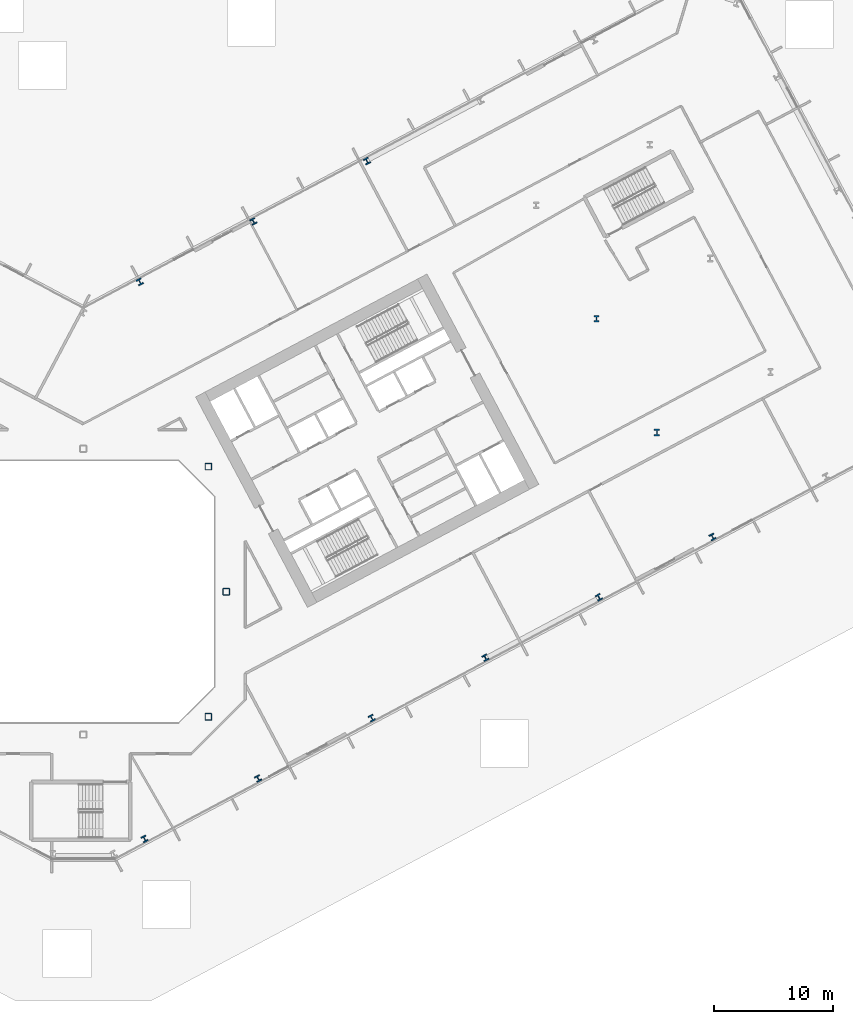
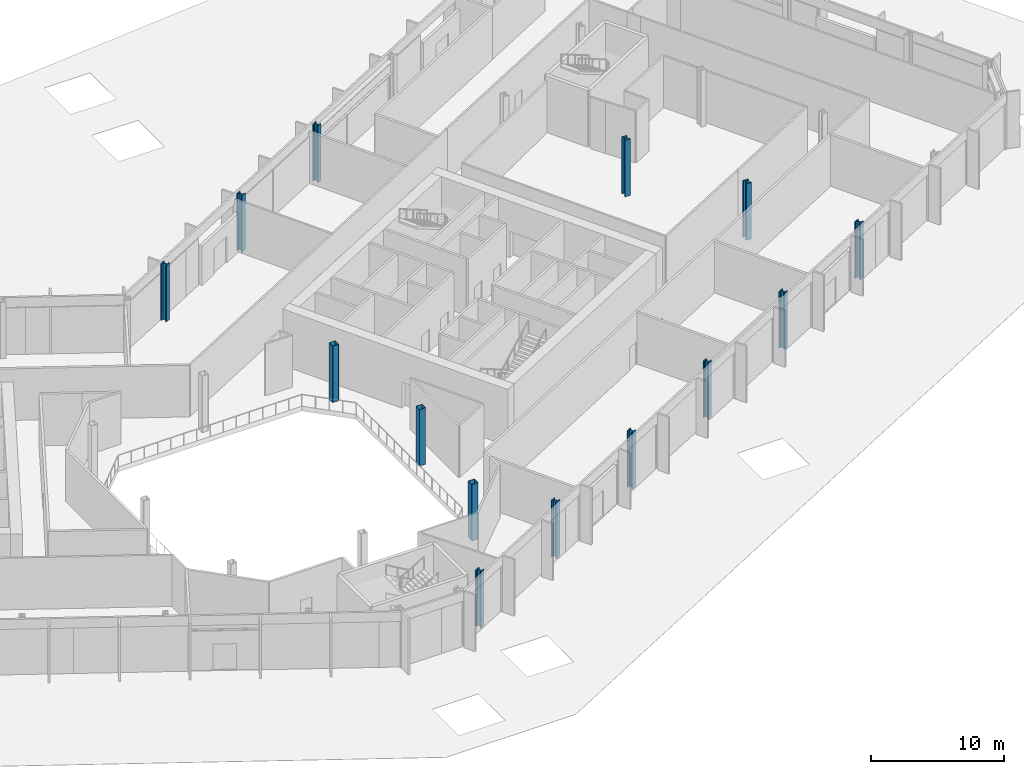
# One storey, part 3 of 30: 14 columns.
"""IFC4 building model written with IfcOpenShell, lengths in metres."""

from ifc_helpers import new_model, si_unit, direction, frame, origin, origin_2d, place, context, subcontext, project, spatial, hollow_rectangle, i_section, extrude, material, material_profile, profile_set, type_object, element, save


model = new_model("IFC4")

# Units and contexts
model_context = context("Model", 3, precision=1e-05, world=origin(), true_north=direction((0.0, 1.0)))
body_context = subcontext(model_context, "Body", "Model", "MODEL_VIEW")
ifc_project = project(units=[si_unit("LENGTHUNIT", "METRE"), si_unit("AREAUNIT", "SQUARE_METRE"), si_unit("VOLUMEUNIT", "CUBIC_METRE"), si_unit("PLANEANGLEUNIT", "RADIAN"), si_unit("MASSUNIT", "GRAM", prefix="KILO")], contexts=[model_context])

# Site, building, storey
site_placement = place(None, origin())
site = spatial("IfcSite", under=ifc_project, at=site_placement, CompositionType="ELEMENT")
building_placement = place(site_placement, origin())
building = spatial("IfcBuilding", under=site, at=building_placement, Name="Cormorant Relay Tower", CompositionType="ELEMENT")
storey_placement = place(building_placement, frame((0.0, 0.0, 7.0)))
storey = spatial("IfcBuildingStorey", under=building, at=storey_placement, Name="L01", CompositionType="ELEMENT", Elevation=7.0)

# Columns
ifc_material_1 = material(Name="Steel ASTM A1085 Grade A (Fy 345 MPa)", Category="steel")
ifc_material_profile_1 = material_profile(ifc_material_1, hollow_rectangle(XDim=0.558837890625, YDim=0.558837890625, WallThickness=0.023681640625, InnerFilletRadius=0.01171875, OuterFilletRadius=0.035400390625, at=origin_2d()), Name="HSS559x559x24")
ifc_profile_set_1 = profile_set([ifc_material_profile_1], Name="Steel ASTM A1085 Grade A (Fy 345 MPa)")
column_type_1 = type_object("IfcColumnType", Name="Column HSS559x559x24", PredefinedType="COLUMN", material=ifc_profile_set_1)
for number, where, z_axis, x_axis, name in (
    (1, (10.5, -10.5, 0.0), (0.0, 0.0, 1.0), (1.0, 0.0, 0.0), "Column L01-010"),
    (2, (12.0, 0.0, 0.0), (0.0, 0.0, 1.0), (1.0, 0.0, 0.0), "Column L01-016"),
    (3, (10.5, 10.5, 0.0), (0.0, 0.0, 1.0), (1.0, 0.0, 0.0), "Column L01-023"),
):
    element("IfcColumn", number, at=place(storey_placement, frame(where, z_axis=z_axis, x_axis=x_axis)), inside=storey, type_object=column_type_1, Name=name, PredefinedType="COLUMN", context=body_context, shape_type="SweptSolid", body=[
        extrude(hollow_rectangle(XDim=0.558837890625, YDim=0.558837890625, WallThickness=0.023681640625, InnerFilletRadius=0.01171875, OuterFilletRadius=0.035400390625, at=origin_2d()), origin(), (0.0, 0.0, 1.0), 5.199951171875),
    ])
ifc_material_2 = material(Name="Steel ASTM A992 (Fy 345 MPa)", Category="steel")
ifc_material_profile_2 = material_profile(ifc_material_2, i_section(OverallWidth=0.45458984375, OverallDepth=0.569091796875, WebThickness=0.077880859375, FlangeThickness=0.124755859375, FilletRadius=0.015380859375, at=origin_2d()), Name="W360x1086")
ifc_profile_set_2 = profile_set([ifc_material_profile_2], Name="Steel ASTM A992 (Fy 345 MPa)")
column_type_2 = type_object("IfcColumnType", Name="Column W360x1086", PredefinedType="COLUMN", material=ifc_profile_set_2)
for number, where, z_axis, x_axis, name in (
    (4, (48.157958984375, 13.3740234375, 0.0), (0.0, 0.0, 1.0), (1.0, 0.0, 0.0), "Column L01-025"),
    (5, (43.087890625, 22.909912109375, 0.0), (0.0, 0.0, 1.0), (1.0, 0.0, 0.0), "Column L01-031"),
):
    element("IfcColumn", number, at=place(storey_placement, frame(where, z_axis=z_axis, x_axis=x_axis)), inside=storey, type_object=column_type_2, Name=name, PredefinedType="COLUMN", context=body_context, shape_type="SweptSolid", body=[
        extrude(i_section(OverallWidth=0.45458984375, OverallDepth=0.569091796875, WebThickness=0.077880859375, FlangeThickness=0.124755859375, FilletRadius=0.015380859375, at=origin_2d()), origin(), (0.0, 0.0, 1.0), 5.199951171875),
    ])
ifc_material_3 = material(Name="Steel ASTM A992 (Fy 345 MPa)", Category="steel")
ifc_material_profile_3 = material_profile(ifc_material_3, i_section(OverallWidth=0.43701171875, OverallDepth=0.51318359375, WebThickness=0.060546875, FlangeThickness=0.096923828125, FilletRadius=0.015380859375, at=origin_2d()), Name="W360x818")
ifc_profile_set_3 = profile_set([ifc_material_profile_3], Name="Steel ASTM A992 (Fy 345 MPa)")
column_type_3 = type_object("IfcColumnType", Name="Column W360x818", PredefinedType="COLUMN", material=ifc_profile_set_3)
for number, where, z_axis, x_axis, name in (
    (6, (5.14599609375, -20.75390625, 0.0), (0.0, 0.0, 1.0), (0.882947592859, 0.469471562786, 0.0), "Column L01-003"),
    (7, (14.680908203125, -15.68310546875, 0.0), (0.0, 0.0, 1.0), (0.882947592859, 0.469471562786, 0.0), "Column L01-005"),
    (8, (24.217041015625, -10.613037109375, 0.0), (0.0, 0.0, 1.0), (0.882947592859, 0.469471562786, 0.0), "Column L01-008"),
    (9, (33.7529296875, -5.54296875, 0.0), (0.0, 0.0, 1.0), (0.882947592859, 0.469471562786, 0.0), "Column L01-012"),
    (10, (43.2890625, -0.471923828125, 0.0), (0.0, 0.0, 1.0), (0.882947592859, 0.469471562786, 0.0), "Column L01-014"),
    (11, (52.824951171875, 4.597900390625, 0.0), (0.0, 0.0, 1.0), (0.882947592859, 0.469471562786, 0.0), "Column L01-019"),
    (12, (4.743896484375, 26.011962890625, 0.0), (0.0, 0.0, 1.0), (-0.882947592859, -0.469471562786, 0.0), "Column L01-035"),
    (13, (14.279052734375, 31.08203125, 0.0), (0.0, 0.0, 1.0), (-0.882947592859, -0.469471562786, 0.0), "Column L01-039"),
    (14, (23.81494140625, 36.152099609375, 0.0), (0.0, 0.0, 1.0), (-0.882947592859, -0.469471562786, 0.0), "Column L01-044"),
):
    element("IfcColumn", number, at=place(storey_placement, frame(where, z_axis=z_axis, x_axis=x_axis)), inside=storey, type_object=column_type_3, Name=name, PredefinedType="COLUMN", context=body_context, shape_type="SweptSolid", body=[
        extrude(i_section(OverallWidth=0.43701171875, OverallDepth=0.51318359375, WebThickness=0.060546875, FlangeThickness=0.096923828125, FilletRadius=0.015380859375, at=origin_2d()), origin(), (0.0, 0.0, 1.0), 5.199951171875),
    ])

save(model, "model.ifc")
